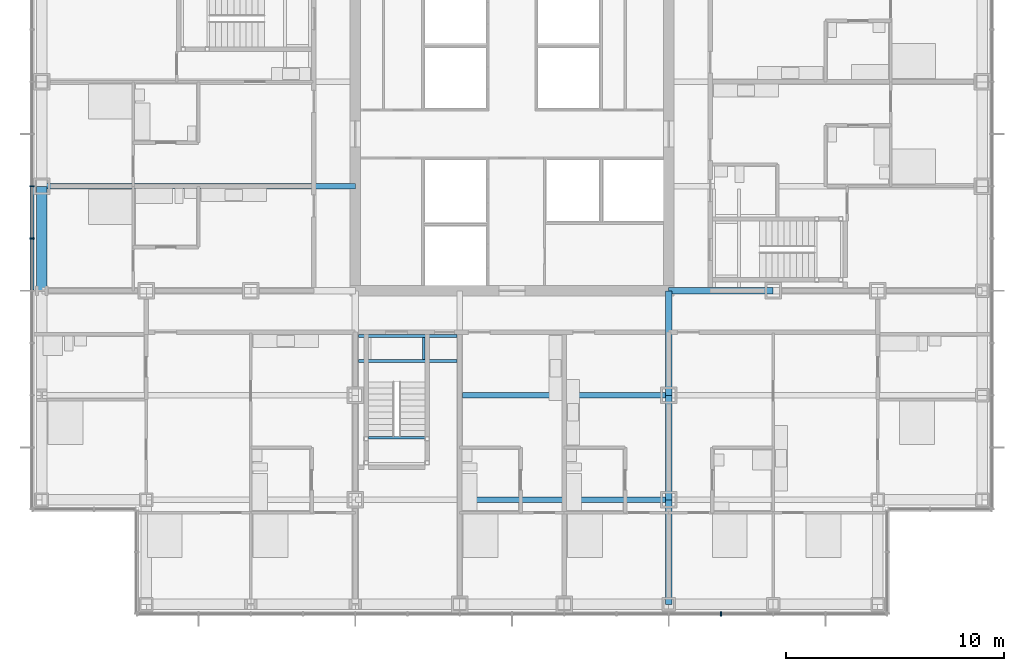
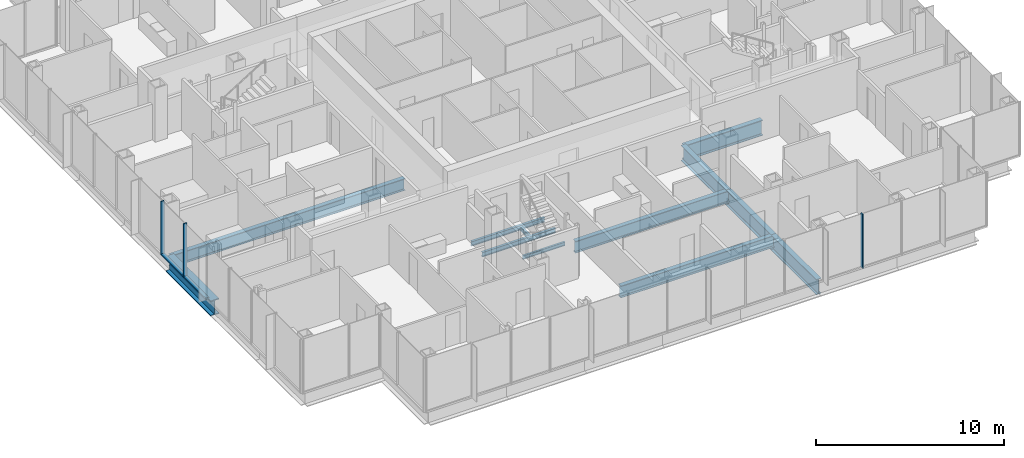
# One storey, part 7 of 21: 12 beams, 5 members, 2 elements without a shape of their own.
"""IFC4 building model written with IfcOpenShell, lengths in metres."""

from ifc_helpers import new_model, si_unit, direction, frame, origin, origin_2d, place, context, subcontext, project, spatial, rectangle, i_section, extrude, material, material_profile, profile_set, type_object, element, aggregate, save


model = new_model("IFC4")

# Units and contexts
model_context = context("Model", 3, precision=1e-05, world=origin(), true_north=direction((0.0, 1.0)))
body_context = subcontext(model_context, "Body", "Model", "MODEL_VIEW")
ifc_project = project(units=[si_unit("LENGTHUNIT", "METRE"), si_unit("AREAUNIT", "SQUARE_METRE"), si_unit("VOLUMEUNIT", "CUBIC_METRE"), si_unit("PLANEANGLEUNIT", "RADIAN"), si_unit("MASSUNIT", "GRAM", prefix="KILO")], contexts=[model_context])

# Site, building, storey
site_placement = place(None, origin())
site = spatial("IfcSite", under=ifc_project, at=site_placement, CompositionType="ELEMENT")
building_placement = place(site_placement, origin())
building = spatial("IfcBuilding", under=site, at=building_placement, Name="Kvirike Care Tower", CompositionType="ELEMENT")
storey_placement = place(building_placement, frame((0.0, 0.0, 48.0)))
storey = spatial("IfcBuildingStorey", under=building, at=storey_placement, Name="L12", CompositionType="ELEMENT", Elevation=48.0)

# Curtain wall, members
ifc_material_1 = material(Name="Anodised aluminium stick system", Category="aluminium")
curtain_wall_type = type_object("IfcCurtainWallType", Name="CW-A STICK CURTAIN WALL", PredefinedType="NOTDEFINED", material=ifc_material_1)
curtain_wall_1_placement = place(storey_placement, origin())
curtain_wall_1 = element("IfcCurtainWall", 1, at=curtain_wall_1_placement, inside=storey, type_object=curtain_wall_type, Name="Curtain wall L12 face 1", PredefinedType="NOTDEFINED")
ifc_material_2 = material(Name="Bronze anodised aluminium mullion", Category="aluminium")
ifc_material_profile_1 = material_profile(ifc_material_2, rectangle(XDim=0.06494140625, YDim=0.199951171875, at=origin_2d()), Name="CW-A MULLION 65x200")
ifc_profile_set_1 = profile_set([ifc_material_profile_1], Name="Bronze anodised aluminium mullion")
member_type_1 = type_object("IfcMemberType", Name="CW-A MULLION 65x200", PredefinedType="MULLION", material=ifc_profile_set_1)
member_1_placement = place(storey_placement, frame((-0.449951171875, 33.60009765625, 0.0), z_axis=(0.0, 0.0, 1.0), x_axis=(0.0, -1.0, 0.0)))
member_1 = element("IfcMember", 2, at=member_1_placement, type_object=member_type_1, Name="CW-A mullion L12 face 1.9", PredefinedType="MULLION", context=body_context, shape_type="SweptSolid", body=[
    extrude(rectangle(XDim=0.06494140625, YDim=0.199951171875, at=origin_2d()), origin(), (0.0, 0.0, 1.0), 3.5),
])
member_2_placement = place(storey_placement, frame((-0.449951171875, 31.199951171875, 0.0), z_axis=(0.0, 0.0, 1.0), x_axis=(0.0, -1.0, 0.0)))
member_2 = element("IfcMember", 3, at=member_2_placement, type_object=member_type_1, Name="CW-A mullion L12 face 1.10", PredefinedType="MULLION", context=body_context, shape_type="SweptSolid", body=[
    extrude(rectangle(XDim=0.06494140625, YDim=0.199951171875, at=origin_2d()), origin(), (0.0, 0.0, 1.0), 3.5),
])

# Curtain wall, member
curtain_wall_2_placement = place(storey_placement, origin())
curtain_wall_2 = element("IfcCurtainWall", 4, at=curtain_wall_2_placement, inside=storey, type_object=curtain_wall_type, Name="Curtain wall L12 face 4", PredefinedType="NOTDEFINED")
member_3_placement = place(storey_placement, frame((31.199951171875, 13.949951171875, 0.0), z_axis=(0.0, 0.0, 1.0), x_axis=(1.0, 0.0, 0.0)))
member_3 = element("IfcMember", 5, at=member_3_placement, type_object=member_type_1, Name="CW-A mullion L12 face 4.12", PredefinedType="MULLION", context=body_context, shape_type="SweptSolid", body=[
    extrude(rectangle(XDim=0.06494140625, YDim=0.199951171875, at=origin_2d()), origin(), (0.0, 0.0, 1.0), 3.5),
])
aggregate(curtain_wall_2, [member_3])

# Member
ifc_material_3 = material(Name="Bronze anodised aluminium transom", Category="aluminium")
ifc_material_profile_2 = material_profile(ifc_material_3, rectangle(XDim=0.199951171875, YDim=0.10009765625, at=origin_2d()), Name="CW-A TRANSOM 200x100")
ifc_profile_set_2 = profile_set([ifc_material_profile_2], Name="Bronze anodised aluminium transom")
member_type_2 = type_object("IfcMemberType", Name="CW-A TRANSOM 200x100", PredefinedType="USERDEFINED", material=ifc_profile_set_2)
member_4_placement = place(storey_placement, frame((-0.449951171875, 33.5673828125, 0.050048828125), z_axis=(0.0, -1.0, 0.0), x_axis=(1.0, 0.0, 0.0)))
member_4 = element("IfcMember", 6, at=member_4_placement, type_object=member_type_2, Name="CW-A sill transom L12 face 1.9", ObjectType="TRANSOM", PredefinedType="USERDEFINED", context=body_context, shape_type="SweptSolid", body=[
    extrude(rectangle(XDim=0.199951171875, YDim=0.10009765625, at=origin_2d()), origin(), (0.0, 0.0, 1.0), 2.3349609375),
])

member_5_placement = place(storey_placement, frame((-0.449951171875, 31.16748046875, 0.050048828125), z_axis=(0.0, -1.0, 0.0), x_axis=(1.0, 0.0, 0.0)))
member_5 = element("IfcMember", 7, at=member_5_placement, type_object=member_type_2, Name="CW-A sill transom L12 face 1.10", ObjectType="TRANSOM", PredefinedType="USERDEFINED", context=body_context, shape_type="SweptSolid", body=[
    extrude(rectangle(XDim=0.199951171875, YDim=0.10009765625, at=origin_2d()), origin(), (0.0, 0.0, 1.0), 2.3349609375),
])

aggregate(curtain_wall_1, [member_1, member_2, member_4, member_5])

# Beams
ifc_material_4 = material(Name="Steel S355", Category="steel")
ifc_material_profile_3 = material_profile(ifc_material_4, i_section(OverallWidth=0.26806640625, OverallDepth=0.77001953125, WebThickness=0.015625, FlangeThickness=0.025390625, FilletRadius=0.01708984375, at=origin_2d()), Name="IPE 750x196")
ifc_profile_set_3 = profile_set([ifc_material_profile_3], Name="Steel S355")
beam_type_1 = type_object("IfcBeamType", Name="FLOOR BEAM IPE 750x196", PredefinedType="BEAM", material=ifc_profile_set_3)
for number, where, z_axis, x_axis, name in (
    (8, (19.333984375, 19.199951171875, -0.554931640625), (1.0, 0.0, 0.0), (0.0, 1.0, 0.0), "Floor Beam E7-E9 L12"),
    (9, (19.333984375, 24.0, -0.554931640625), (1.0, 0.0, 0.0), (0.0, 1.0, 0.0), "Floor Beam F7-F9 L12"),
):
    element("IfcBeam", number, at=place(storey_placement, frame(where, z_axis=z_axis, x_axis=x_axis)), inside=storey, type_object=beam_type_1, Name=name, PredefinedType="BEAM", context=body_context, shape_type="SweptSolid", body=[
        extrude(i_section(OverallWidth=0.26806640625, OverallDepth=0.77001953125, WebThickness=0.015625, FlangeThickness=0.025390625, FilletRadius=0.01708984375, at=origin_2d()), origin(), (0.0, 0.0, 1.0), 9.466064453125),
    ])
beam_1_placement = place(storey_placement, frame((0.0, 33.60009765625, -0.554931640625), z_axis=(1.0, 0.0, 0.0), x_axis=(0.0, 1.0, 0.0)))
element("IfcBeam", 10, at=beam_1_placement, inside=storey, type_object=beam_type_1, Name="Floor Beam H3-H6 L12", PredefinedType="BEAM", context=body_context, shape_type="SweptSolid", body=[
    extrude(i_section(OverallWidth=0.26806640625, OverallDepth=0.77001953125, WebThickness=0.015625, FlangeThickness=0.025390625, FilletRadius=0.01708984375, at=origin_2d()), origin(), (0.0, 0.0, 1.0), 14.39990234375),
])
ifc_material_5 = material(Name="Steel S355", Category="steel")
ifc_material_profile_4 = material_profile(ifc_material_5, i_section(OverallWidth=0.300048828125, OverallDepth=1.0, WebThickness=0.01904296875, FlangeThickness=0.035888671875, FilletRadius=0.030029296875, at=origin_2d()), Name="HE 1000 B")
ifc_profile_set_4 = profile_set([ifc_material_profile_4], Name="Steel S355")
beam_type_2 = type_object("IfcBeamType", Name="FRAME BEAM HE 1000 B", PredefinedType="BEAM", material=ifc_profile_set_4)
for number, where, z_axis, x_axis, name in (
    (11, (28.800048828125, 28.800048828125, -0.669921875), (1.0, 0.0, 0.0), (0.0, 1.0, 0.0), "Frame Beam G9-G10 L12"),
    (12, (28.800048828125, 14.39990234375, -0.669921875), (0.0, 1.0, 0.0), (-1.0, 0.0, 0.0), "Frame Beam D9-E9 L12"),
    (13, (28.800048828125, 19.199951171875, -0.669921875), (0.0, 1.0, 0.0), (-1.0, 0.0, 0.0), "Frame Beam E9-F9 L12"),
    (14, (28.800048828125, 24.0, -0.669921875), (0.0, 1.0, 0.0), (-1.0, 0.0, 0.0), "Frame Beam F9-G9 L12"),
):
    element("IfcBeam", number, at=place(storey_placement, frame(where, z_axis=z_axis, x_axis=x_axis)), inside=storey, type_object=beam_type_2, Name=name, PredefinedType="BEAM", context=body_context, shape_type="SweptSolid", body=[
        extrude(i_section(OverallWidth=0.300048828125, OverallDepth=1.0, WebThickness=0.01904296875, FlangeThickness=0.035888671875, FilletRadius=0.030029296875, at=origin_2d()), origin(), (0.0, 0.0, 1.0), 4.800048828125),
    ])
ifc_material_6 = material(Name="Steel S355", Category="steel")
ifc_material_profile_5 = material_profile(ifc_material_6, i_section(OverallWidth=0.5, OverallDepth=1.0, WebThickness=0.030029296875, FlangeThickness=0.06005859375, at=origin_2d()), Name="PG 1000x500x30x60")
ifc_profile_set_5 = profile_set([ifc_material_profile_5], Name="Steel S355")
beam_type_3 = type_object("IfcBeamType", Name="SPANDREL PG 1000x500x30x60", PredefinedType="SPANDREL", material=ifc_profile_set_5)
beam_2_placement = place(storey_placement, frame((0.0, 28.800048828125, -0.669921875), z_axis=(0.0, 1.0, 0.0), x_axis=(-1.0, 0.0, 0.0)))
element("IfcBeam", 15, at=beam_2_placement, inside=storey, type_object=beam_type_3, Name="Spandrel G3-H3 L12", PredefinedType="SPANDREL", context=body_context, shape_type="SweptSolid", body=[
    extrude(i_section(OverallWidth=0.5, OverallDepth=1.0, WebThickness=0.030029296875, FlangeThickness=0.06005859375, at=origin_2d()), origin(), (0.0, 0.0, 1.0), 4.800048828125),
])
ifc_material_7 = material(Name="Steel S355", Category="steel")
ifc_material_profile_6 = material_profile(ifc_material_7, i_section(OverallWidth=0.1201171875, OverallDepth=0.239990234375, WebThickness=0.006103515625, FlangeThickness=0.009765625, FilletRadius=0.014892578125, at=origin_2d()), Name="IPE 240")
ifc_profile_set_6 = profile_set([ifc_material_profile_6], Name="Steel S355")
beam_type_4 = type_object("IfcBeamType", Name="STAIR LANDING BEAM IPE 240", PredefinedType="BEAM", material=ifc_profile_set_6)
beam_3_placement = place(storey_placement, frame((15.0, 22.0400390625, 1.429931640625), z_axis=(1.0, 0.0, 0.0), x_axis=(0.0, 1.0, 0.0)))
element("IfcBeam", 16, at=beam_3_placement, inside=storey, type_object=beam_type_4, Name="Stair 5 landing beam front L12", PredefinedType="BEAM", context=body_context, shape_type="SweptSolid", body=[
    extrude(i_section(OverallWidth=0.1201171875, OverallDepth=0.239990234375, WebThickness=0.006103515625, FlangeThickness=0.009765625, FilletRadius=0.014892578125, at=origin_2d()), origin(), (0.0, 0.0, 1.0), 2.60009765625),
])
beam_4_placement = place(storey_placement, frame((17.5400390625, 25.64990234375, -0.320068359375), z_axis=(0.0, 1.0, 0.0), x_axis=(-1.0, 0.0, 0.0)))
element("IfcBeam", 17, at=beam_4_placement, inside=storey, type_object=beam_type_4, Name="Stair 5 landing edge beam 2 L12", PredefinedType="BEAM", context=body_context, shape_type="SweptSolid", body=[
    extrude(i_section(OverallWidth=0.1201171875, OverallDepth=0.239990234375, WebThickness=0.006103515625, FlangeThickness=0.009765625, FilletRadius=0.014892578125, at=origin_2d()), origin(), (0.0, 0.0, 1.0), 1.0),
])
ifc_material_8 = material(Name="Steel S355", Category="steel")
ifc_material_profile_7 = material_profile(ifc_material_8, i_section(OverallWidth=0.14990234375, OverallDepth=0.300048828125, WebThickness=0.007080078125, FlangeThickness=0.0107421875, FilletRadius=0.014892578125, at=origin_2d()), Name="IPE 300")
ifc_profile_set_7 = profile_set([ifc_material_profile_7], Name="Steel S355")
beam_type_5 = type_object("IfcBeamType", Name="STAIR TRIMMER IPE 300", PredefinedType="BEAM", material=ifc_profile_set_7)
for number, where, z_axis, x_axis, name in (
    (18, (14.550048828125, 25.574951171875, -0.35009765625), (1.0, 0.0, 0.0), (0.0, 1.0, 0.0), "Stair 5 trimmer 1 L12"),
    (19, (14.550048828125, 26.72509765625, -0.35009765625), (1.0, 0.0, 0.0), (0.0, 1.0, 0.0), "Stair 5 trimmer 2 L12"),
):
    element("IfcBeam", number, at=place(storey_placement, frame(where, z_axis=z_axis, x_axis=x_axis)), inside=storey, type_object=beam_type_5, Name=name, PredefinedType="BEAM", context=body_context, shape_type="SweptSolid", body=[
        extrude(i_section(OverallWidth=0.14990234375, OverallDepth=0.300048828125, WebThickness=0.007080078125, FlangeThickness=0.0107421875, FilletRadius=0.014892578125, at=origin_2d()), origin(), (0.0, 0.0, 1.0), 4.515869140625),
    ])

save(model, "model.ifc")
